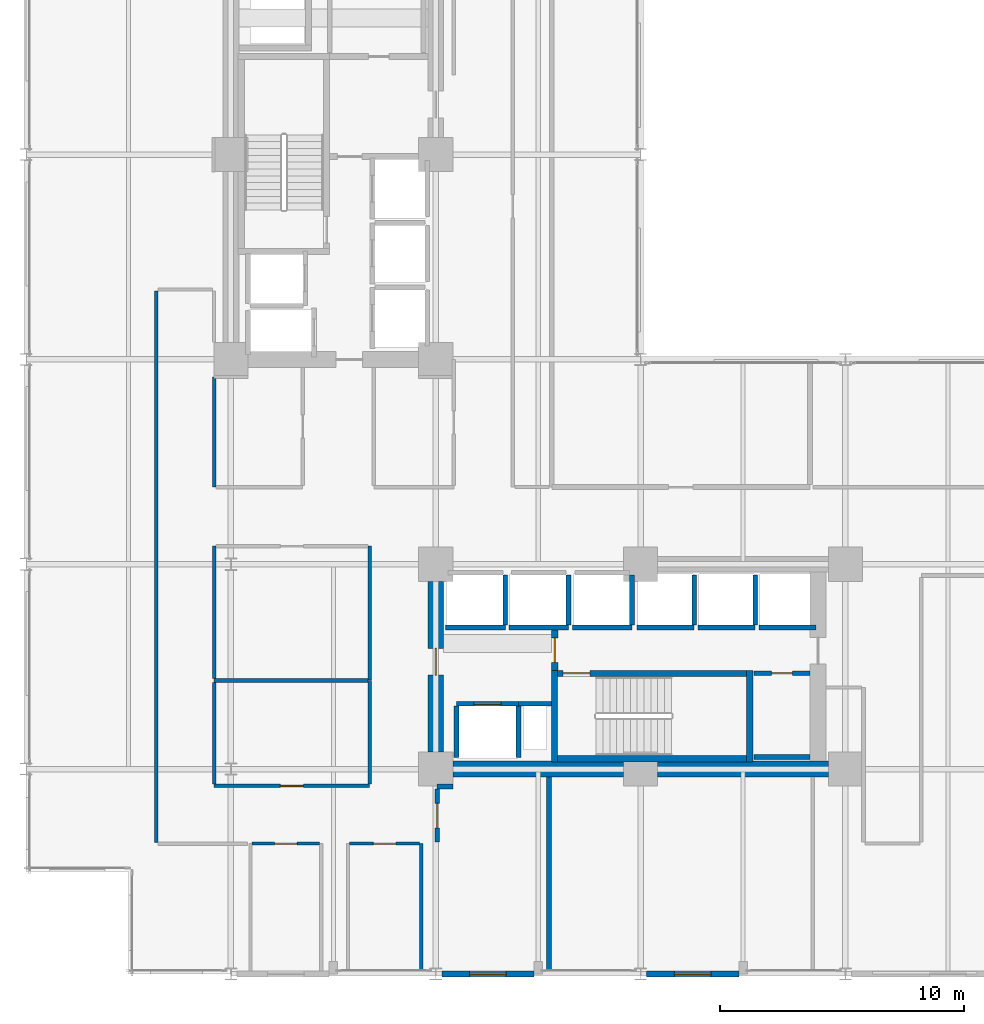
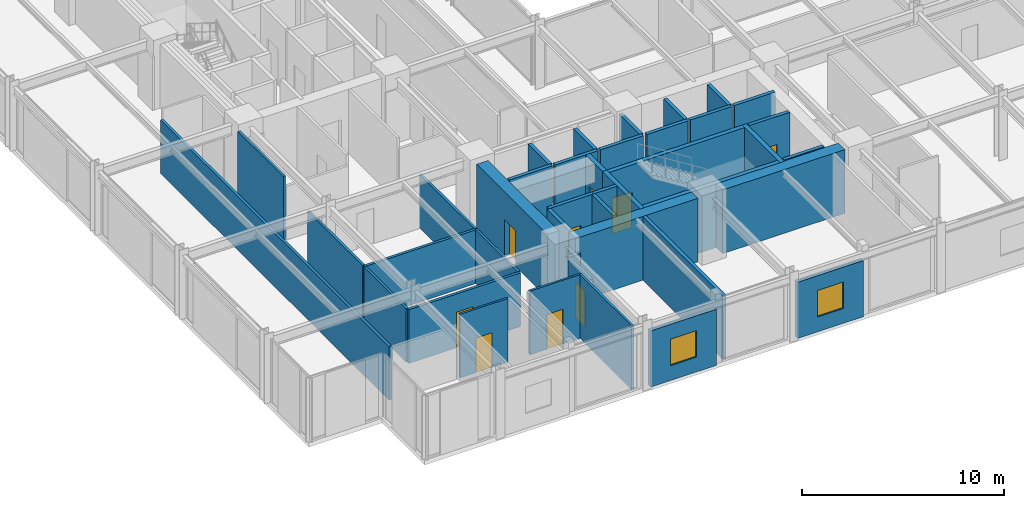
# One storey, part 21 of 26: 41 walls, 9 doors, 2 windows, 11 openings.
"""IFC4 building model written with IfcOpenShell, lengths in metres."""

import ifcopenshell
import ifcopenshell.guid

model = None  # the IFC model being written
_history = None  # IfcOwnerHistory: only IFC2X3 demands one
_inside = {}  # id of a spatial element -> (the spatial element, [elements in it])
_under = {}  # id of a project, library or spatial element -> (it, [spatial elements below it])
_declared = {}  # id of a project -> (the project, [libraries it declares])
_typed = {}  # id of a type object -> (the type object, [elements of that type])
_made_of = {}  # id of a material, layer set ... -> (it, [elements and type objects made of it])


def new_model(schema):
    """Start an empty IFC model of exactly this schema.

    Asked for "IFC4X3", IfcOpenShell would pick the latest addendum, in which some entities
    have other attributes; the version numbers below select the first issue.
    IFC2X3 requires an IfcOwnerHistory on every rooted entity: one is made here for all.
    """
    global model, _history
    if schema == "IFC4X3":
        model = ifcopenshell.file(schema_version=(4, 3, 0, 0))
    else:
        model = ifcopenshell.file(schema=schema)
    _inside.clear()
    _under.clear()
    _declared.clear()
    _typed.clear()
    _made_of.clear()
    _history = None
    if model.schema == "IFC2X3":
        org = make("IfcOrganization", Name="unknown")
        user = make(
            "IfcPersonAndOrganization",
            ThePerson=make("IfcPerson", FamilyName="unknown"),
            TheOrganization=org,
        )
        app = make(
            "IfcApplication",
            ApplicationDeveloper=org,
            Version="unknown",
            ApplicationFullName="unknown",
            ApplicationIdentifier="unknown",
        )
        _history = make(
            "IfcOwnerHistory",
            OwningUser=user,
            OwningApplication=app,
            ChangeAction="ADDED",
            CreationDate=0,
        )
    return model


def make(cls, **values):
    """One entity of the class cls with the attributes given. An attribute that is None is left unset."""
    return model.create_entity(
        cls, **{name: value for name, value in values.items() if value is not None}
    )


def rooted(cls, **values):
    """An entity with a GlobalId (a new one), such as an element, a storey or a relation."""
    return make(cls, GlobalId=ifcopenshell.guid.new(), OwnerHistory=_history, **values)


def si_unit(unit_type, name, prefix=None):
    """IfcSIUnit, for example si_unit("LENGTHUNIT", "METRE", prefix="MILLI")."""
    return make("IfcSIUnit", UnitType=unit_type, Prefix=prefix, Name=name)


def assignment(units):
    """IfcUnitAssignment: the units of a project."""
    return None if units is None else make("IfcUnitAssignment", Units=units)


def point(xyz):
    """IfcCartesianPoint."""
    return None if xyz is None else make("IfcCartesianPoint", Coordinates=xyz)


def direction(xyz):
    """IfcDirection."""
    return None if xyz is None else make("IfcDirection", DirectionRatios=xyz)


def frame(location, z_axis=None, x_axis=None):
    """IfcAxis2Placement3D, a coordinate frame: its origin and axes. An axis left out is left unset."""
    return make(
        "IfcAxis2Placement3D",
        Location=point(location),
        Axis=direction(z_axis),
        RefDirection=direction(x_axis),
    )


def frame_2d(location, x_axis=None):
    """IfcAxis2Placement2D, a coordinate frame in the plane: its origin and x axis."""
    return make(
        "IfcAxis2Placement2D", Location=point(location), RefDirection=direction(x_axis)
    )


def origin():
    """The frame at (0, 0, 0) with its axes left unset."""
    return frame((0.0, 0.0, 0.0))


def place(relative_to, where):
    """IfcLocalPlacement: puts the frame where relative to a parent placement (None: the world)."""
    return make(
        "IfcLocalPlacement", PlacementRelTo=relative_to, RelativePlacement=where
    )


def context(
    kind, dimensions, precision=None, world=None, true_north=None, identifier=None
):
    """IfcGeometricRepresentationContext, for example the 3D "Model" context."""
    return make(
        "IfcGeometricRepresentationContext",
        ContextIdentifier=identifier,
        ContextType=kind,
        CoordinateSpaceDimension=dimensions,
        Precision=precision,
        WorldCoordinateSystem=world,
        TrueNorth=true_north,
    )


def subcontext(parent, identifier, kind, view, scale=None):
    """IfcGeometricRepresentationSubContext, for example "Body" below "Model"."""
    return make(
        "IfcGeometricRepresentationSubContext",
        ContextIdentifier=identifier,
        ContextType=kind,
        ParentContext=parent,
        TargetScale=scale,
        TargetView=view,
    )


def project(units=None, contexts=None):
    """IfcProject with its units and contexts."""
    return rooted(
        "IfcProject",
        Name="project",
        RepresentationContexts=contexts,
        UnitsInContext=assignment(units),
    )


def spatial(cls, under=None, at=None, **own):
    """A site, building, storey or space (cls), placed at a placement, below another one or the project."""
    s = rooted(cls, ObjectPlacement=at, **own)
    if under is not None:
        _under.setdefault(under.id(), (under, []))[1].append(s)
    return s


def profile(cls, at=None, kind="AREA", **sizes):
    """A parametric profile (cls). Its sizes go by their IFC names, for example OverallWidth=200.0."""
    return make(cls, ProfileType=kind, Position=at, **sizes)


def rectangle(**sizes):
    """IfcRectangleProfileDef."""
    return profile("IfcRectangleProfileDef", **sizes)


def extrude(swept, where, along, depth):
    """IfcExtrudedAreaSolid: the profile swept, set in the frame where, extruded along a direction by depth."""
    return make(
        "IfcExtrudedAreaSolid",
        SweptArea=swept,
        Position=where,
        ExtrudedDirection=direction(along),
        Depth=depth,
    )


def shape(context_of_items, identifier, shape_type, items):
    """IfcShapeRepresentation: the items that make up one representation, for example the "Body"."""
    return make(
        "IfcShapeRepresentation",
        ContextOfItems=context_of_items,
        RepresentationIdentifier=identifier,
        RepresentationType=shape_type,
        Items=items,
    )


def material(Name=None, Category=None):
    """IfcMaterial."""
    return make("IfcMaterial", Name=Name, Category=Category)


def layer(
    of_material, thickness, ventilated=None, Name=None, Category=None, Priority=None
):
    """IfcMaterialLayer: one layer of a wall or slab, of a material (None: an air gap)."""
    return make(
        "IfcMaterialLayer",
        Material=of_material,
        LayerThickness=thickness,
        IsVentilated=ventilated,
        Name=Name,
        Category=Category,
        Priority=Priority,
    )


def layer_set(layers, Name=None):
    """IfcMaterialLayerSet."""
    return make("IfcMaterialLayerSet", MaterialLayers=layers, LayerSetName=Name)


def made_of(thing, what):
    """Note that an element or type object is made of a material, layer set ...; save() writes the relation."""
    if what is not None:
        _made_of.setdefault(what.id(), (what, []))[1].append(thing)
    return thing


def type_object(cls, material=None, **own):
    """A type object (cls), such as IfcWallType, which elements share."""
    return made_of(rooted(cls, **own), material)


def element(
    cls,
    number,
    at=None,
    inside=None,
    cuts=None,
    type_object=None,
    material=None,
    context=None,
    identifier="Body",
    shape_type=None,
    held_by="IfcProductDefinitionShape",
    body=None,
    shapes=None,
    **own,
):
    """One element of the class cls, such as IfcWall. Its Tag is "e" and its number.

    at: its placement. inside: the storey or other place that contains it. cuts: it is an
    opening in that element (IfcRelVoidsElement). A single representation is given by context,
    identifier, shape_type and body (its items); several are given by shapes. held_by: the class
    of the entity that holds the representations. save() writes the other relations.
    """
    e = rooted(cls, Tag="e%d" % number, ObjectPlacement=at, **own)
    if body is not None:
        shapes = [shape(context, identifier, shape_type, body)]
    if shapes is not None:
        e.Representation = make(held_by, Representations=shapes)
    if inside is not None:
        _inside.setdefault(inside.id(), (inside, []))[1].append(e)
    if cuts is not None:
        rooted(
            "IfcRelVoidsElement", RelatingBuildingElement=cuts, RelatedOpeningElement=e
        )
    if type_object is not None:
        _typed.setdefault(type_object.id(), (type_object, []))[1].append(e)
    return made_of(e, material)


def fill(opening, filler):
    """IfcRelFillsElement: the door or window that sits in an opening."""
    return rooted(
        "IfcRelFillsElement",
        RelatingOpeningElement=opening,
        RelatedBuildingElement=filler,
    )


def aggregate(whole, parts):
    """IfcRelAggregates: a whole, such as a stair, and the parts it consists of."""
    return rooted("IfcRelAggregates", RelatingObject=whole, RelatedObjects=parts)


def save(model, path):
    """Write the relations noted so far, then the file.

    IfcRelAggregates (storeys below a building ...), IfcRelContainedInSpatialStructure (elements
    in a storey), IfcRelDefinesByType, IfcRelAssociatesMaterial and IfcRelDeclares: one each for
    every whole, place, type object, material and project.
    """
    for whole, parts in _under.values():
        aggregate(whole, parts)
    for where, things in _inside.values():
        rooted(
            "IfcRelContainedInSpatialStructure",
            RelatedElements=things,
            RelatingStructure=where,
        )
    for kind, things in _typed.values():
        rooted("IfcRelDefinesByType", RelatedObjects=things, RelatingType=kind)
    for what, things in _made_of.values():
        rooted("IfcRelAssociatesMaterial", RelatedObjects=things, RelatingMaterial=what)
    for by, libraries in _declared.values():
        rooted("IfcRelDeclares", RelatingContext=by, RelatedDefinitions=libraries)
    model.write(path)


model = new_model("IFC4")

# Units and contexts
model_context = context("Model", 3, precision=1e-05, world=origin(), true_north=direction((0.0, 1.0)))
body_context = subcontext(model_context, "Body", "Model", "MODEL_VIEW")
ifc_project = project(units=[si_unit("LENGTHUNIT", "METRE"), si_unit("AREAUNIT", "SQUARE_METRE"), si_unit("VOLUMEUNIT", "CUBIC_METRE"), si_unit("PLANEANGLEUNIT", "RADIAN"), si_unit("MASSUNIT", "GRAM", prefix="KILO")], contexts=[model_context])

# Site, building, storey
site_placement = place(None, origin())
site = spatial("IfcSite", under=ifc_project, at=site_placement, CompositionType="ELEMENT")
building_placement = place(site_placement, origin())
building = spatial("IfcBuilding", under=site, at=building_placement, Name="Nerrivon Quay Data Exchange", CompositionType="ELEMENT")
storey_placement = place(building_placement, frame((0.0, 0.0, 75.199951171875)))
storey = spatial("IfcBuildingStorey", under=building, at=storey_placement, Name="L17", CompositionType="ELEMENT", Elevation=75.199951171875)

# Wall, opening, window
ifc_material_1 = material(Name="Architectural terracotta precast concrete N50 (50 MPa)", Category="masonry")
ifc_layer_1 = layer(ifc_material_1, 0.239990234375)
ifc_layer_set_1 = layer_set([ifc_layer_1], Name="Architectural terracotta precast concrete N50 (50 MPa)")
wall_type_1 = type_object("IfcWallType", Name="EW-PREC-240", PredefinedType="STANDARD", material=ifc_layer_set_1)
wall_1_placement = place(storey_placement, frame((29.22509765625, 0.0, 0.0), z_axis=(0.0, 0.0, 1.0), x_axis=(-1.0, 0.0, 0.0)))
wall_1 = element("IfcWall", 1, at=wall_1_placement, inside=storey, type_object=wall_type_1, Name="L17 Podium Precast Spandrel Wall 9", PredefinedType="STANDARD", context=body_context, shape_type="SweptSolid", body=[
    extrude(rectangle(XDim=3.775146484375, YDim=0.239990234375, at=frame_2d((1.8876953125, 0.0))), origin(), (0.0, 0.0, 1.0), 3.39599609375),
])
opening_1_placement = place(wall_1_placement, frame((1.137451171875, 0.0, 0.89990234375)))
opening_1 = element("IfcOpeningElement", 2, at=opening_1_placement, cuts=wall_1, Name="Opening WN4", PredefinedType="OPENING", context=body_context, shape_type="SweptSolid", body=[
    extrude(rectangle(XDim=1.5, YDim=1.60009765625, at=frame_2d((0.75, 0.800048828125))), frame((0.0, 0.1298828125, 0.0), z_axis=(0.0, -1.0, 0.0), x_axis=(1.0, 0.0, 0.0)), (0.0, 0.0, 1.0), 0.260009765625),
])
ifc_material_2 = material(Name="Double-glazed low-E solar control glass", Category="glass")
window_type = type_object("IfcWindowType", Name="WIN-W4-1500x1600", PartitioningType="SINGLE_PANEL", PredefinedType="WINDOW", material=ifc_material_2)
window_1_placement = place(opening_1_placement, origin())
window_1 = element("IfcWindow", 3, at=window_1_placement, inside=storey, type_object=window_type, Name="L17 Solar Facade Window 9", OverallHeight=1.60009765625, OverallWidth=1.5, PartitioningType="SINGLE_PANEL", PredefinedType="WINDOW", context=body_context, shape_type="SweptSolid", body=[
    extrude(rectangle(XDim=1.5, YDim=1.60009765625, at=frame_2d((0.75, 0.800048828125))), frame((0.0, 0.030029296875, 0.0), z_axis=(0.0, -1.0, 0.0), x_axis=(1.0, 0.0, 0.0)), (0.0, 0.0, 1.0), 0.06005859375),
])
fill(opening_1, window_1)

wall_2_placement = place(storey_placement, frame((20.824951171875, 0.0, 0.0), z_axis=(0.0, 0.0, 1.0), x_axis=(-1.0, 0.0, 0.0)))
wall_2 = element("IfcWall", 4, at=wall_2_placement, inside=storey, type_object=wall_type_1, Name="L17 Podium Precast Spandrel Wall 11", PredefinedType="STANDARD", context=body_context, shape_type="SweptSolid", body=[
    extrude(rectangle(XDim=3.77490234375, YDim=0.239990234375, at=frame_2d((1.887451171875, 0.0))), origin(), (0.0, 0.0, 1.0), 3.39599609375),
])
opening_2_placement = place(wall_2_placement, frame((1.137451171875, 0.0, 0.89990234375)))
opening_2 = element("IfcOpeningElement", 5, at=opening_2_placement, cuts=wall_2, Name="Opening WN4", PredefinedType="OPENING", context=body_context, shape_type="SweptSolid", body=[
    extrude(rectangle(XDim=1.5, YDim=1.60009765625, at=frame_2d((0.75, 0.800048828125))), frame((0.0, 0.1298828125, 0.0), z_axis=(0.0, -1.0, 0.0), x_axis=(1.0, 0.0, 0.0)), (0.0, 0.0, 1.0), 0.260009765625),
])
window_2_placement = place(opening_2_placement, origin())
window_2 = element("IfcWindow", 6, at=window_2_placement, inside=storey, type_object=window_type, Name="L17 Solar Facade Window 11", OverallHeight=1.60009765625, OverallWidth=1.5, PartitioningType="SINGLE_PANEL", PredefinedType="WINDOW", context=body_context, shape_type="SweptSolid", body=[
    extrude(rectangle(XDim=1.5, YDim=1.60009765625, at=frame_2d((0.75, 0.800048828125))), frame((0.0, 0.030029296875, 0.0), z_axis=(0.0, -1.0, 0.0), x_axis=(1.0, 0.0, 0.0)), (0.0, 0.0, 1.0), 0.06005859375),
])
fill(opening_2, window_2)

# Walls
ifc_material_3 = material(Name="Concrete N80 (80 MPa)", Category="concrete")
ifc_layer_2 = layer(ifc_material_3, 0.64990234375)
ifc_layer_set_2 = layer_set([ifc_layer_2], Name="Concrete N80 (80 MPa)")
wall_type_2 = type_object("IfcWallType", Name="WALL-CW-850", PredefinedType="SHEAR", material=ifc_layer_set_2)
for number, where, z_axis, x_axis, name in (
    (7, (17.5, 8.39990234375, 0.0), (0.0, 0.0, 1.0), (1.0, 0.0, 0.0), "L17 East Split-Core Shear Wall ECW-S1"),
    (8, (25.89990234375, 8.39990234375, 0.0), (0.0, 0.0, 1.0), (1.0, 0.0, 0.0), "L17 East Split-Core Shear Wall ECW-S2"),
):
    element("IfcWall", number, at=place(storey_placement, frame(where, z_axis=z_axis, x_axis=x_axis)), inside=storey, type_object=wall_type_2, Name=name, PredefinedType="SHEAR", context=body_context, shape_type="SweptSolid", body=[
        extrude(rectangle(XDim=7.0, YDim=0.64990234375, at=frame_2d((3.5, 0.0))), origin(), (0.0, 0.0, 1.0), 3.85009765625),
    ])

# Wall, opening, door
wall_3_placement = place(storey_placement, frame((16.800048828125, 9.10009765625, 0.0), z_axis=(0.0, 0.0, 1.0), x_axis=(0.0, 1.0, 0.0)))
wall_3 = element("IfcWall", 9, at=wall_3_placement, inside=storey, type_object=wall_type_2, Name="L17 East Split-Core Shear Wall ECW-W1", PredefinedType="SHEAR", context=body_context, shape_type="SweptSolid", body=[
    extrude(rectangle(XDim=7.0, YDim=0.64990234375, at=frame_2d((3.5, 0.0))), origin(), (0.0, 0.0, 1.0), 3.85009765625),
])
opening_3_placement = place(wall_3_placement, frame((3.14990234375, 0.0, 0.0)))
opening_3 = element("IfcOpeningElement", 10, at=opening_3_placement, cuts=wall_3, Name="Opening FD-120", PredefinedType="OPENING", context=body_context, shape_type="SweptSolid", body=[
    extrude(rectangle(XDim=1.10009765625, YDim=2.14990234375, at=frame_2d((0.550048828125, 1.074951171875))), frame((0.0, 0.3349609375, 0.0), z_axis=(0.0, -1.0, 0.0), x_axis=(1.0, 0.0, 0.0)), (0.0, 0.0, 1.0), 0.669921875),
])
ifc_material_4 = material(Name="Powder-coated galvanized steel sheet", Category="steel")
door_type_1 = type_object("IfcDoorType", Name="DR-FD120-1100", OperationType="NOTDEFINED", PredefinedType="DOOR", material=ifc_material_4)
door_1_placement = place(opening_3_placement, origin())
door_1 = element("IfcDoor", 11, at=door_1_placement, inside=storey, type_object=door_type_1, Name="L17 East Core Lobby Fire Door", OperationType="SINGLE_SWING_LEFT", OverallHeight=2.14990234375, OverallWidth=1.10009765625, PredefinedType="DOOR", context=body_context, shape_type="SweptSolid", body=[
    extrude(rectangle(XDim=1.10009765625, YDim=2.14990234375, at=frame_2d((0.550048828125, 1.074951171875))), frame((0.0, 0.02490234375, 0.0), z_axis=(0.0, -1.0, 0.0), x_axis=(1.0, 0.0, 0.0)), (0.0, 0.0, 1.0), 0.050048828125),
])
fill(opening_3, door_1)

# Wall
ifc_material_5 = material(Name="Gypsum plasterboard on cold-formed framing", Category="gypsum")
ifc_layer_3 = layer(ifc_material_5, 0.199951171875)
ifc_layer_set_3 = layer_set([ifc_layer_3], Name="Gypsum plasterboard on cold-formed framing")
wall_type_3 = type_object("IfcWallType", Name="WALL-FW-200", PredefinedType="PARTITIONING", material=ifc_layer_set_3)
wall_4_placement = place(storey_placement, frame((20.199951171875, 11.080078125, 0.0), z_axis=(0.0, 0.0, 1.0), x_axis=(1.0, 0.0, 0.0)))
element("IfcWall", 12, at=wall_4_placement, inside=storey, type_object=wall_type_3, Name="L17 East Core MEP Riser Shaft Wall N", PredefinedType="PARTITIONING", context=body_context, shape_type="SweptSolid", body=[
    extrude(rectangle(XDim=1.35009765625, YDim=0.199951171875, at=frame_2d((0.675048828125, 0.0))), origin(), (0.0, 0.0, 1.0), 3.85009765625),
])

# Wall, opening, door
wall_5_placement = place(storey_placement, frame((17.64990234375, 11.080078125, 0.0), z_axis=(0.0, 0.0, 1.0), x_axis=(1.0, 0.0, 0.0)))
wall_5 = element("IfcWall", 13, at=wall_5_placement, inside=storey, type_object=wall_type_3, Name="L17 Lift Front Wall FFL-2", PredefinedType="PARTITIONING", context=body_context, shape_type="SweptSolid", body=[
    extrude(rectangle(XDim=2.550048828125, YDim=0.199951171875, at=frame_2d((1.27490234375, 0.0))), origin(), (0.0, 0.0, 1.0), 3.85009765625),
])
opening_4_placement = place(wall_5_placement, frame((0.72509765625, 0.0, 0.0)))
opening_4 = element("IfcOpeningElement", 14, at=opening_4_placement, cuts=wall_5, Name="Opening LD-120", PredefinedType="OPENING", context=body_context, shape_type="SweptSolid", body=[
    extrude(rectangle(XDim=1.10009765625, YDim=2.199951171875, at=frame_2d((0.550048828125, 1.10009765625))), frame((0.0, 0.10986328125, 0.0), z_axis=(0.0, -1.0, 0.0), x_axis=(1.0, 0.0, 0.0)), (0.0, 0.0, 1.0), 0.219970703125),
])
door_type_2 = type_object("IfcDoorType", Name="DR-LIFT-LD120", OperationType="DOUBLE_DOOR_SLIDING", PredefinedType="DOOR", material=ifc_material_4)
door_2_placement = place(opening_4_placement, origin())
door_2 = element("IfcDoor", 15, at=door_2_placement, inside=storey, type_object=door_type_2, Name="L17 Lift Landing Sliding Door FFL-2", OperationType="DOUBLE_DOOR_SLIDING", OverallHeight=2.199951171875, OverallWidth=1.10009765625, PredefinedType="DOOR", context=body_context, shape_type="SweptSolid", body=[
    extrude(rectangle(XDim=1.10009765625, YDim=2.199951171875, at=frame_2d((0.550048828125, 1.10009765625))), frame((0.0, 0.02490234375, 0.0), z_axis=(0.0, -1.0, 0.0), x_axis=(1.0, 0.0, 0.0)), (0.0, 0.0, 1.0), 0.050048828125),
])
fill(opening_4, door_2)

# Walls
for number, where, z_axis, x_axis, name in (
    (16, (20.199951171875, 8.8798828125, 0.0), (0.0, 0.0, 1.0), (0.0, 1.0, 0.0), "L17 Lift Shaft Wall FFL-2 EAST"),
    (17, (17.64990234375, 8.8798828125, 0.0), (0.0, 0.0, 1.0), (0.0, 1.0, 0.0), "L17 Lift Shaft Wall FFL-2 WEST"),
):
    element("IfcWall", number, at=place(storey_placement, frame(where, z_axis=z_axis, x_axis=x_axis)), inside=storey, type_object=wall_type_3, Name=name, PredefinedType="PARTITIONING", context=body_context, shape_type="SweptSolid", body=[
        extrude(rectangle(XDim=2.10009765625, YDim=0.199951171875, at=frame_2d((1.050048828125, 0.0))), origin(), (0.0, 0.0, 1.0), 3.85009765625),
    ])
wall_6_placement = place(storey_placement, frame((17.199951171875, 14.199951171875, 0.0), z_axis=(0.0, 0.0, 1.0), x_axis=(1.0, 0.0, 0.0)))
element("IfcWall", 18, at=wall_6_placement, inside=storey, type_object=wall_type_3, Name="L17 Lift Front Wall PL4", PredefinedType="PARTITIONING", context=body_context, shape_type="SweptSolid", body=[
    extrude(rectangle(XDim=2.449951171875, YDim=0.199951171875, at=frame_2d((1.22509765625, 0.0))), origin(), (0.0, 0.0, 1.0), 3.85009765625),
])
wall_7_placement = place(storey_placement, frame((19.64990234375, 14.300048828125, 0.0), z_axis=(0.0, 0.0, 1.0), x_axis=(0.0, 1.0, 0.0)))
element("IfcWall", 19, at=wall_7_placement, inside=storey, type_object=wall_type_3, Name="L17 Lift Shaft Wall PL4 EAST", PredefinedType="PARTITIONING", context=body_context, shape_type="SweptSolid", body=[
    extrude(rectangle(XDim=2.050048828125, YDim=0.199951171875, at=frame_2d((1.02490234375, 0.0))), origin(), (0.0, 0.0, 1.0), 3.85009765625),
])
wall_8_placement = place(storey_placement, frame((19.800048828125, 14.199951171875, 0.0), z_axis=(0.0, 0.0, 1.0), x_axis=(1.0, 0.0, 0.0)))
element("IfcWall", 20, at=wall_8_placement, inside=storey, type_object=wall_type_3, Name="L17 Lift Front Wall PL5", PredefinedType="PARTITIONING", context=body_context, shape_type="SweptSolid", body=[
    extrude(rectangle(XDim=2.449951171875, YDim=0.199951171875, at=frame_2d((1.22509765625, 0.0))), origin(), (0.0, 0.0, 1.0), 3.85009765625),
])
wall_9_placement = place(storey_placement, frame((22.25, 14.300048828125, 0.0), z_axis=(0.0, 0.0, 1.0), x_axis=(0.0, 1.0, 0.0)))
element("IfcWall", 21, at=wall_9_placement, inside=storey, type_object=wall_type_3, Name="L17 Lift Shaft Wall PL5 EAST", PredefinedType="PARTITIONING", context=body_context, shape_type="SweptSolid", body=[
    extrude(rectangle(XDim=2.050048828125, YDim=0.199951171875, at=frame_2d((1.02490234375, 0.0))), origin(), (0.0, 0.0, 1.0), 3.85009765625),
])
wall_10_placement = place(storey_placement, frame((22.39990234375, 14.199951171875, 0.0), z_axis=(0.0, 0.0, 1.0), x_axis=(1.0, 0.0, 0.0)))
element("IfcWall", 22, at=wall_10_placement, inside=storey, type_object=wall_type_3, Name="L17 Lift Front Wall PL6", PredefinedType="PARTITIONING", context=body_context, shape_type="SweptSolid", body=[
    extrude(rectangle(XDim=2.4501953125, YDim=0.199951171875, at=frame_2d((1.22509765625, 0.0))), origin(), (0.0, 0.0, 1.0), 3.85009765625),
])
wall_11_placement = place(storey_placement, frame((24.85009765625, 14.300048828125, 0.0), z_axis=(0.0, 0.0, 1.0), x_axis=(0.0, 1.0, 0.0)))
element("IfcWall", 23, at=wall_11_placement, inside=storey, type_object=wall_type_3, Name="L17 Lift Shaft Wall PL6 EAST", PredefinedType="PARTITIONING", context=body_context, shape_type="SweptSolid", body=[
    extrude(rectangle(XDim=2.050048828125, YDim=0.199951171875, at=frame_2d((1.02490234375, 0.0))), origin(), (0.0, 0.0, 1.0), 3.85009765625),
])
wall_12_placement = place(storey_placement, frame((25.050048828125, 14.199951171875, 0.0), z_axis=(0.0, 0.0, 1.0), x_axis=(1.0, 0.0, 0.0)))
element("IfcWall", 24, at=wall_12_placement, inside=storey, type_object=wall_type_3, Name="L17 Lift Front Wall PL7", PredefinedType="PARTITIONING", context=body_context, shape_type="SweptSolid", body=[
    extrude(rectangle(XDim=2.349853515625, YDim=0.199951171875, at=frame_2d((1.1748046875, 0.0))), origin(), (0.0, 0.0, 1.0), 3.85009765625),
])
wall_13_placement = place(storey_placement, frame((27.39990234375, 14.300048828125, 0.0), z_axis=(0.0, 0.0, 1.0), x_axis=(0.0, 1.0, 0.0)))
element("IfcWall", 25, at=wall_13_placement, inside=storey, type_object=wall_type_3, Name="L17 Lift Shaft Wall PL7 EAST", PredefinedType="PARTITIONING", context=body_context, shape_type="SweptSolid", body=[
    extrude(rectangle(XDim=2.050048828125, YDim=0.199951171875, at=frame_2d((1.02490234375, 0.0))), origin(), (0.0, 0.0, 1.0), 3.85009765625),
])
wall_14_placement = place(storey_placement, frame((27.550048828125, 14.199951171875, 0.0), z_axis=(0.0, 0.0, 1.0), x_axis=(1.0, 0.0, 0.0)))
element("IfcWall", 26, at=wall_14_placement, inside=storey, type_object=wall_type_3, Name="L17 Lift Front Wall PL8", PredefinedType="PARTITIONING", context=body_context, shape_type="SweptSolid", body=[
    extrude(rectangle(XDim=2.349853515625, YDim=0.199951171875, at=frame_2d((1.1748046875, 0.0))), origin(), (0.0, 0.0, 1.0), 3.85009765625),
])
wall_15_placement = place(storey_placement, frame((29.89990234375, 14.300048828125, 0.0), z_axis=(0.0, 0.0, 1.0), x_axis=(0.0, 1.0, 0.0)))
element("IfcWall", 27, at=wall_15_placement, inside=storey, type_object=wall_type_3, Name="L17 Lift Shaft Wall PL8 EAST", PredefinedType="PARTITIONING", context=body_context, shape_type="SweptSolid", body=[
    extrude(rectangle(XDim=2.050048828125, YDim=0.199951171875, at=frame_2d((1.02490234375, 0.0))), origin(), (0.0, 0.0, 1.0), 3.85009765625),
])
wall_16_placement = place(storey_placement, frame((30.050048828125, 14.199951171875, 0.0), z_axis=(0.0, 0.0, 1.0), x_axis=(1.0, 0.0, 0.0)))
element("IfcWall", 28, at=wall_16_placement, inside=storey, type_object=wall_type_3, Name="L17 Lift Front Wall PL9", PredefinedType="PARTITIONING", context=body_context, shape_type="SweptSolid", body=[
    extrude(rectangle(XDim=2.349853515625, YDim=0.199951171875, at=frame_2d((1.1748046875, 0.0))), origin(), (0.0, 0.0, 1.0), 3.85009765625),
])

# Wall, opening, door
wall_17_placement = place(storey_placement, frame((32.14599609375, 12.330078125, 0.0), z_axis=(0.0, 0.0, 1.0), x_axis=(-1.0, 0.0, 0.0)))
wall_17 = element("IfcWall", 29, at=wall_17_placement, inside=storey, type_object=wall_type_3, Name="L17 Partition East Telecom Closet", PredefinedType="PARTITIONING", context=body_context, shape_type="SweptSolid", body=[
    extrude(rectangle(XDim=2.2958984375, YDim=0.199951171875, at=frame_2d((1.14794921875, 0.0))), origin(), (0.0, 0.0, 1.0), 3.85009765625),
])
opening_5_placement = place(wall_17_placement, frame((0.722900390625, 0.0, 0.0)))
opening_5 = element("IfcOpeningElement", 30, at=opening_5_placement, cuts=wall_17, Name="Opening FD-60S", PredefinedType="OPENING", context=body_context, shape_type="SweptSolid", body=[
    extrude(rectangle(XDim=0.85009765625, YDim=2.14990234375, at=frame_2d((0.425048828125, 1.074951171875))), frame((0.0, 0.10986328125, 0.0), z_axis=(0.0, -1.0, 0.0), x_axis=(1.0, 0.0, 0.0)), (0.0, 0.0, 1.0), 0.219970703125),
])
ifc_material_6 = material(Name="Engineered hardwood timber", Category="wood")
door_type_3 = type_object("IfcDoorType", Name="DR-FD60-850", OperationType="NOTDEFINED", PredefinedType="DOOR", material=ifc_material_6)
door_3_placement = place(opening_5_placement, origin())
door_3 = element("IfcDoor", 31, at=door_3_placement, inside=storey, type_object=door_type_3, Name="L17 Door East Telecom Closet", OperationType="SINGLE_SWING_LEFT", OverallHeight=2.14990234375, OverallWidth=0.85009765625, PredefinedType="DOOR", context=body_context, shape_type="SweptSolid", body=[
    extrude(rectangle(XDim=0.85009765625, YDim=2.14990234375, at=frame_2d((0.425048828125, 1.074951171875))), frame((0.0, 0.02490234375, 0.0), z_axis=(0.0, -1.0, 0.0), x_axis=(1.0, 0.0, 0.0)), (0.0, 0.0, 1.0), 0.050048828125),
])
fill(opening_5, door_3)

# Walls
wall_18_placement = place(storey_placement, frame((29.85009765625, 8.89990234375, 0.0), z_axis=(0.0, 0.0, 1.0), x_axis=(1.0, 0.0, 0.0)))
element("IfcWall", 32, at=wall_18_placement, inside=storey, type_object=wall_type_3, Name="L17 Partition East Telecom Closet", PredefinedType="PARTITIONING", context=body_context, shape_type="SweptSolid", body=[
    extrude(rectangle(XDim=2.2958984375, YDim=0.199951171875, at=frame_2d((1.14794921875, 0.0))), origin(), (0.0, 0.0, 1.0), 3.85009765625),
])
wall_19_placement = place(storey_placement, frame((21.436767578125, 0.1689453125, 0.0), z_axis=(0.0, 0.0, 1.0), x_axis=(0.0, 1.0, 0.0)))
element("IfcWall", 33, at=wall_19_placement, inside=storey, type_object=wall_type_3, Name="L17 Partition Colocation Data Workspace 1", PredefinedType="PARTITIONING", context=body_context, shape_type="SweptSolid", body=[
    extrude(rectangle(XDim=7.902099609375, YDim=0.199951171875, at=frame_2d((3.951171875, 0.0))), origin(), (0.0, 0.0, 1.0), 3.85009765625),
])
wall_20_placement = place(storey_placement, frame((17.5, 7.679931640625, 0.0), z_axis=(0.0, 0.0, 1.0), x_axis=(-1.0, 0.0, 0.0)))
element("IfcWall", 34, at=wall_20_placement, inside=storey, type_object=wall_type_3, Name="L17 Partition Colocation Data Workspace 1", PredefinedType="PARTITIONING", context=body_context, shape_type="SweptSolid", body=[
    extrude(rectangle(XDim=0.639892578125, YDim=0.199951171875, at=frame_2d((0.31982421875, 0.0))), origin(), (0.0, 0.0, 1.0), 3.248046875),
])

# Wall, opening, door
wall_21_placement = place(storey_placement, frame((16.860107421875, 7.575927734375, 0.0), z_axis=(0.0, 0.0, 1.0), x_axis=(0.0, -1.0, 0.0)))
wall_21 = element("IfcWall", 35, at=wall_21_placement, inside=storey, type_object=wall_type_3, Name="L17 Partition Colocation Data Workspace 1", PredefinedType="PARTITIONING", context=body_context, shape_type="SweptSolid", body=[
    extrude(rectangle(XDim=2.176025390625, YDim=0.199951171875, at=frame_2d((1.087890625, 0.0))), origin(), (0.0, 0.0, 1.0), 3.248046875),
])
opening_6_placement = place(wall_21_placement, frame((0.587890625, 0.0, 0.0)))
opening_6 = element("IfcOpeningElement", 36, at=opening_6_placement, cuts=wall_21, Name="Opening FD-60", PredefinedType="OPENING", context=body_context, shape_type="SweptSolid", body=[
    extrude(rectangle(XDim=1.0, YDim=2.14990234375, at=frame_2d((0.5, 1.074951171875))), frame((0.0, 0.10986328125, 0.0), z_axis=(0.0, -1.0, 0.0), x_axis=(1.0, 0.0, 0.0)), (0.0, 0.0, 1.0), 0.219970703125),
])
door_type_4 = type_object("IfcDoorType", Name="DR-FD60-1000", OperationType="NOTDEFINED", PredefinedType="DOOR", material=ifc_material_6)
door_4_placement = place(opening_6_placement, origin())
door_4 = element("IfcDoor", 37, at=door_4_placement, inside=storey, type_object=door_type_4, Name="L17 Door Colocation Data Workspace 1", OperationType="SINGLE_SWING_LEFT", OverallHeight=2.14990234375, OverallWidth=1.0, PredefinedType="DOOR", context=body_context, shape_type="SweptSolid", body=[
    extrude(rectangle(XDim=1.0, YDim=2.14990234375, at=frame_2d((0.5, 1.074951171875))), frame((0.0, 0.02490234375, 0.0), z_axis=(0.0, -1.0, 0.0), x_axis=(1.0, 0.0, 0.0)), (0.0, 0.0, 1.0), 0.050048828125),
])
fill(opening_6, door_4)

ifc_layer_4 = layer(ifc_material_5, 0.1201171875)
ifc_layer_set_4 = layer_set([ifc_layer_4], Name="Gypsum plasterboard on cold-formed framing")
wall_type_4 = type_object("IfcWallType", Name="WALL-PT-120", PredefinedType="PARTITIONING", material=ifc_layer_set_4)
wall_22_placement = place(storey_placement, frame((12.028564453125, 5.340087890625, 0.0), z_axis=(0.0, 0.0, 1.0), x_axis=(-1.0, 0.0, 0.0)))
wall_22 = element("IfcWall", 38, at=wall_22_placement, inside=storey, type_object=wall_type_4, Name="L17 Partition Accessible Toilet", PredefinedType="PARTITIONING", context=body_context, shape_type="SweptSolid", body=[
    extrude(rectangle(XDim=2.757080078125, YDim=0.1201171875, at=frame_2d((1.37841796875, 0.0))), origin(), (0.0, 0.0, 1.0), 3.85009765625),
])
opening_7_placement = place(wall_22_placement, frame((0.91845703125, 0.0, 0.0)))
opening_7 = element("IfcOpeningElement", 39, at=opening_7_placement, cuts=wall_22, Name="Opening D-WC", PredefinedType="OPENING", context=body_context, shape_type="SweptSolid", body=[
    extrude(rectangle(XDim=0.919921875, YDim=2.10009765625, at=frame_2d((0.4599609375, 1.050048828125))), frame((0.0, 0.070068359375, 0.0), z_axis=(0.0, -1.0, 0.0), x_axis=(1.0, 0.0, 0.0)), (0.0, 0.0, 1.0), 0.14013671875),
])
door_type_5 = type_object("IfcDoorType", Name="DR-WC-920", OperationType="NOTDEFINED", PredefinedType="DOOR", material=ifc_material_6)
door_5_placement = place(opening_7_placement, origin())
door_5 = element("IfcDoor", 40, at=door_5_placement, inside=storey, type_object=door_type_5, Name="L17 Door Accessible Toilet", OperationType="SINGLE_SWING_RIGHT", OverallHeight=2.10009765625, OverallWidth=0.919921875, PredefinedType="DOOR", context=body_context, shape_type="SweptSolid", body=[
    extrude(rectangle(XDim=0.919921875, YDim=2.10009765625, at=frame_2d((0.4599609375, 1.050048828125))), frame((0.0, 0.02490234375, 0.0), z_axis=(0.0, -1.0, 0.0), x_axis=(1.0, 0.0, 0.0)), (0.0, 0.0, 1.0), 0.050048828125),
])
fill(opening_7, door_5)

wall_23_placement = place(storey_placement, frame((16.12841796875, 5.340087890625, 0.0), z_axis=(0.0, 0.0, 1.0), x_axis=(-1.0, 0.0, 0.0)))
wall_23 = element("IfcWall", 41, at=wall_23_placement, inside=storey, type_object=wall_type_4, Name="L17 Partition Public Washrooms", PredefinedType="PARTITIONING", context=body_context, shape_type="SweptSolid", body=[
    extrude(rectangle(XDim=2.85693359375, YDim=0.1201171875, at=frame_2d((1.428466796875, 0.0))), origin(), (0.0, 0.0, 1.0), 3.85009765625),
])
opening_8_placement = place(wall_23_placement, frame((0.968505859375, 0.0, 0.0)))
opening_8 = element("IfcOpeningElement", 42, at=opening_8_placement, cuts=wall_23, Name="Opening D-WC", PredefinedType="OPENING", context=body_context, shape_type="SweptSolid", body=[
    extrude(rectangle(XDim=0.919921875, YDim=2.10009765625, at=frame_2d((0.4599609375, 1.050048828125))), frame((0.0, 0.070068359375, 0.0), z_axis=(0.0, -1.0, 0.0), x_axis=(1.0, 0.0, 0.0)), (0.0, 0.0, 1.0), 0.14013671875),
])
door_6_placement = place(opening_8_placement, origin())
door_6 = element("IfcDoor", 43, at=door_6_placement, inside=storey, type_object=door_type_5, Name="L17 Door Public Washrooms", OperationType="SINGLE_SWING_LEFT", OverallHeight=2.10009765625, OverallWidth=0.919921875, PredefinedType="DOOR", context=body_context, shape_type="SweptSolid", body=[
    extrude(rectangle(XDim=0.919921875, YDim=2.10009765625, at=frame_2d((0.4599609375, 1.050048828125))), frame((0.0, 0.02490234375, 0.0), z_axis=(0.0, -1.0, 0.0), x_axis=(1.0, 0.0, 0.0)), (0.0, 0.0, 1.0), 0.050048828125),
])
fill(opening_8, door_6)

# Walls
ifc_layer_5 = layer(ifc_material_5, 0.135009765625)
ifc_layer_set_5 = layer_set([ifc_layer_5], Name="Gypsum plasterboard on cold-formed framing")
wall_type_5 = type_object("IfcWallType", Name="WALL-PT-135", PredefinedType="PARTITIONING", material=ifc_layer_set_5)
wall_24_placement = place(storey_placement, frame((16.199951171875, 0.1689453125, 0.0), z_axis=(0.0, 0.0, 1.0), x_axis=(0.0, 1.0, 0.0)))
element("IfcWall", 44, at=wall_24_placement, inside=storey, type_object=wall_type_5, Name="L17 Partition Public Washrooms", PredefinedType="PARTITIONING", context=body_context, shape_type="SweptSolid", body=[
    extrude(rectangle(XDim=5.171142578125, YDim=0.135009765625, at=frame_2d((2.58544921875, 0.0))), origin(), (0.0, 0.0, 1.0), 3.85009765625),
])
wall_25_placement = place(storey_placement, frame((14.090087890625, 7.7890625, 0.0), z_axis=(0.0, 0.0, 1.0), x_axis=(0.0, 1.0, 0.0)))
element("IfcWall", 45, at=wall_25_placement, inside=storey, type_object=wall_type_5, Name="L17 Partition Technical Library", PredefinedType="PARTITIONING", context=body_context, shape_type="SweptSolid", body=[
    extrude(rectangle(XDim=4.24609375, YDim=0.135009765625, at=frame_2d((2.123046875, 0.0))), origin(), (0.0, 0.0, 1.0), 3.238037109375),
])
wall_26_placement = place(storey_placement, frame((7.7099609375, 11.956298828125, 0.0), z_axis=(0.0, 0.0, 1.0), x_axis=(0.0, -1.0, 0.0)))
element("IfcWall", 46, at=wall_26_placement, inside=storey, type_object=wall_type_5, Name="L17 Partition Technical Library", PredefinedType="PARTITIONING", context=body_context, shape_type="SweptSolid", body=[
    extrude(rectangle(XDim=4.167236328125, YDim=0.135009765625, at=frame_2d((2.08349609375, 0.0))), origin(), (0.0, 0.0, 1.0), 3.238037109375),
])
wall_27_placement = place(storey_placement, frame((7.7099609375, 17.5400390625, 0.0), z_axis=(0.0, 0.0, 1.0), x_axis=(0.0, -1.0, 0.0)))
element("IfcWall", 47, at=wall_27_placement, inside=storey, type_object=wall_type_5, Name="L17 Partition Cloud Compute Workspace 1", PredefinedType="PARTITIONING", context=body_context, shape_type="SweptSolid", body=[
    extrude(rectangle(XDim=5.42578125, YDim=0.135009765625, at=frame_2d((2.712890625, 0.0))), origin(), (0.0, 0.0, 1.0), 3.238037109375),
])
wall_28_placement = place(storey_placement, frame((14.090087890625, 12.05517578125, 0.0), z_axis=(0.0, 0.0, 1.0), x_axis=(0.0, 1.0, 0.0)))
element("IfcWall", 48, at=wall_28_placement, inside=storey, type_object=wall_type_5, Name="L17 Partition Cloud Compute Workspace 1", PredefinedType="PARTITIONING", context=body_context, shape_type="SweptSolid", body=[
    extrude(rectangle(XDim=5.48486328125, YDim=0.135009765625, at=frame_2d((2.742431640625, 0.0))), origin(), (0.0, 0.0, 1.0), 3.238037109375),
])
wall_29_placement = place(storey_placement, frame((7.7099609375, 24.47998046875, 0.0), z_axis=(0.0, 0.0, 1.0), x_axis=(0.0, -1.0, 0.0)))
element("IfcWall", 49, at=wall_29_placement, inside=storey, type_object=wall_type_5, Name="L17 Partition Optical Engineering Studios Workspace", PredefinedType="PARTITIONING", context=body_context, shape_type="SweptSolid", body=[
    extrude(rectangle(XDim=4.52001953125, YDim=0.135009765625, at=frame_2d((2.260009765625, 0.0))), origin(), (0.0, 0.0, 1.0), 3.85009765625),
])

# Wall, opening, door
ifc_layer_6 = layer(ifc_material_5, 0.14990234375)
ifc_layer_set_6 = layer_set([ifc_layer_6], Name="Gypsum plasterboard on cold-formed framing")
wall_type_6 = type_object("IfcWallType", Name="WALL-PT-150", PredefinedType="PARTITIONING", material=ifc_layer_set_6)
wall_30_placement = place(storey_placement, frame((7.7099609375, 7.7099609375, 0.0), z_axis=(0.0, 0.0, 1.0), x_axis=(1.0, 0.0, 0.0)))
wall_30 = element("IfcWall", 50, at=wall_30_placement, inside=storey, type_object=wall_type_6, Name="L17 Partition Technical Library", PredefinedType="PARTITIONING", context=body_context, shape_type="SweptSolid", body=[
    extrude(rectangle(XDim=6.380126953125, YDim=0.14990234375, at=frame_2d((3.18994140625, 0.0))), origin(), (0.0, 0.0, 1.0), 3.248046875),
])
opening_9_placement = place(wall_30_placement, frame((2.715087890625, 0.0, 0.0)))
opening_9 = element("IfcOpeningElement", 51, at=opening_9_placement, cuts=wall_30, Name="Opening D-01", PredefinedType="OPENING", context=body_context, shape_type="SweptSolid", body=[
    extrude(rectangle(XDim=0.949951171875, YDim=2.14990234375, at=frame_2d((0.47509765625, 1.074951171875))), frame((0.0, 0.0849609375, 0.0), z_axis=(0.0, -1.0, 0.0), x_axis=(1.0, 0.0, 0.0)), (0.0, 0.0, 1.0), 0.169921875),
])
door_type_6 = type_object("IfcDoorType", Name="DR-INT-950", OperationType="NOTDEFINED", PredefinedType="DOOR", material=ifc_material_6)
door_7_placement = place(opening_9_placement, origin())
door_7 = element("IfcDoor", 52, at=door_7_placement, inside=storey, type_object=door_type_6, Name="L17 Door Technical Library", OperationType="SINGLE_SWING_LEFT", OverallHeight=2.14990234375, OverallWidth=0.949951171875, PredefinedType="DOOR", context=body_context, shape_type="SweptSolid", body=[
    extrude(rectangle(XDim=0.949951171875, YDim=2.14990234375, at=frame_2d((0.47509765625, 1.074951171875))), frame((0.0, 0.02490234375, 0.0), z_axis=(0.0, -1.0, 0.0), x_axis=(1.0, 0.0, 0.0)), (0.0, 0.0, 1.0), 0.050048828125),
])
fill(opening_9, door_7)

# Walls
wall_31_placement = place(storey_placement, frame((14.0185546875, 12.03515625, 0.0), z_axis=(0.0, 0.0, 1.0), x_axis=(-1.0, 0.0, 0.0)))
element("IfcWall", 53, at=wall_31_placement, inside=storey, type_object=wall_type_6, Name="L17 Partition Technical Library", PredefinedType="PARTITIONING", context=body_context, shape_type="SweptSolid", body=[
    extrude(rectangle(XDim=6.30859375, YDim=0.14990234375, at=frame_2d((3.154296875, 0.0))), origin(), (0.0, 0.0, 1.0), 3.248046875),
])
wall_32_placement = place(storey_placement, frame((5.34033203125, 5.39404296875, 0.0), z_axis=(0.0, 0.0, 1.0), x_axis=(-1.0799836e-05, 0.999999999942, 0.0)))
element("IfcWall", 54, at=wall_32_placement, inside=storey, type_object=wall_type_6, Name="L17 Partition Optical Engineering Studios Workspace", PredefinedType="PARTITIONING", context=body_context, shape_type="SweptSolid", body=[
    extrude(rectangle(XDim=22.60595703125, YDim=0.14990234375, at=frame_2d((11.302978515625, 0.0))), origin(), (0.0, 0.0, 1.0), 3.238037109375),
])
ifc_material_7 = material(Name="Concrete N50 (50 MPa)", Category="concrete")
ifc_layer_7 = layer(ifc_material_7, 0.25)
ifc_layer_set_7 = layer_set([ifc_layer_7], Name="Concrete N50 (50 MPa)")
wall_type_7 = type_object("IfcWallType", Name="WALL-SW-250", PredefinedType="SHEAR", material=ifc_layer_set_7)
for number, where, z_axis, x_axis, name in (
    (55, (21.675048828125, 8.699951171875, 0.0), (0.0, 0.0, 1.0), (0.0, 1.0, 0.0), "L17 ST02 Structural Stair Core Wall NEAR"),
    (56, (29.675048828125, 8.699951171875, 0.0), (0.0, 0.0, 1.0), (0.0, 1.0, 0.0), "L17 ST02 Structural Stair Core Wall FAR"),
):
    element("IfcWall", number, at=place(storey_placement, frame(where, z_axis=z_axis, x_axis=x_axis)), inside=storey, type_object=wall_type_7, Name=name, PredefinedType="SHEAR", context=body_context, shape_type="SweptSolid", body=[
        extrude(rectangle(XDim=3.75, YDim=0.25, at=frame_2d((1.875, 0.0))), origin(), (0.0, 0.0, 1.0), 3.85009765625),
    ])
wall_33_placement = place(storey_placement, frame((21.800048828125, 8.824951171875, 0.0), z_axis=(0.0, 0.0, 1.0), x_axis=(1.0, 0.0, 0.0)))
element("IfcWall", 57, at=wall_33_placement, inside=storey, type_object=wall_type_7, Name="L17 ST02 Structural Stair Core Wall LEFT", PredefinedType="SHEAR", context=body_context, shape_type="SweptSolid", body=[
    extrude(rectangle(XDim=7.75, YDim=0.25, at=frame_2d((3.875, 0.0))), origin(), (0.0, 0.0, 1.0), 3.85009765625),
])

# Wall, opening, door
wall_34_placement = place(storey_placement, frame((21.800048828125, 12.324951171875, 0.0), z_axis=(0.0, 0.0, 1.0), x_axis=(1.0, 0.0, 0.0)))
wall_34 = element("IfcWall", 58, at=wall_34_placement, inside=storey, type_object=wall_type_7, Name="L17 ST02 Structural Stair Core Wall RIGHT", PredefinedType="SHEAR", context=body_context, shape_type="SweptSolid", body=[
    extrude(rectangle(XDim=7.75, YDim=0.25, at=frame_2d((3.875, 0.0))), origin(), (0.0, 0.0, 1.0), 3.85009765625),
])
opening_10_placement = place(wall_34_placement, frame((0.219970703125, 0.0, 0.0)))
opening_10 = element("IfcOpeningElement", 59, at=opening_10_placement, cuts=wall_34, Name="Opening FD-120", PredefinedType="OPENING", context=body_context, shape_type="SweptSolid", body=[
    extrude(rectangle(XDim=1.10009765625, YDim=2.14990234375, at=frame_2d((0.550048828125, 1.074951171875))), frame((0.0, 0.135009765625, 0.0), z_axis=(0.0, -1.0, 0.0), x_axis=(1.0, 0.0, 0.0)), (0.0, 0.0, 1.0), 0.27001953125),
])
door_8_placement = place(opening_10_placement, origin())
door_8 = element("IfcDoor", 60, at=door_8_placement, inside=storey, type_object=door_type_1, Name="L17 Protected Stair Door ST02", OperationType="SINGLE_SWING_LEFT", OverallHeight=2.14990234375, OverallWidth=1.10009765625, PredefinedType="DOOR", context=body_context, shape_type="SweptSolid", body=[
    extrude(rectangle(XDim=1.10009765625, YDim=2.14990234375, at=frame_2d((0.550048828125, 1.074951171875))), frame((0.0, 0.02490234375, 0.0), z_axis=(0.0, -1.0, 0.0), x_axis=(1.0, 0.0, 0.0)), (0.0, 0.0, 1.0), 0.050048828125),
])
fill(opening_10, door_8)

wall_35_placement = place(storey_placement, frame((21.679931640625, 12.449951171875, 0.0), z_axis=(0.0, 0.0, 1.0), x_axis=(0.0, 1.0, 0.0)))
wall_35 = element("IfcWall", 61, at=wall_35_placement, inside=storey, type_object=wall_type_7, Name="L17 East Firefighting Lobby Wall", PredefinedType="SHEAR", context=body_context, shape_type="SweptSolid", body=[
    extrude(rectangle(XDim=1.650146484375, YDim=0.25, at=frame_2d((0.8251953125, 0.0))), origin(), (0.0, 0.0, 1.0), 3.85009765625),
])
opening_11_placement = place(wall_35_placement, frame((0.324951171875, 0.0, 0.0)))
opening_11 = element("IfcOpeningElement", 62, at=opening_11_placement, cuts=wall_35, Name="Opening FD-60", PredefinedType="OPENING", context=body_context, shape_type="SweptSolid", body=[
    extrude(rectangle(XDim=1.0, YDim=2.14990234375, at=frame_2d((0.5, 1.074951171875))), frame((0.0, 0.135009765625, 0.0), z_axis=(0.0, -1.0, 0.0), x_axis=(1.0, 0.0, 0.0)), (0.0, 0.0, 1.0), 0.27001953125),
])
door_9_placement = place(opening_11_placement, origin())
door_9 = element("IfcDoor", 63, at=door_9_placement, inside=storey, type_object=door_type_4, Name="L17 East Firefighting Lobby Fire Door", OperationType="SINGLE_SWING_LEFT", OverallHeight=2.14990234375, OverallWidth=1.0, PredefinedType="DOOR", context=body_context, shape_type="SweptSolid", body=[
    extrude(rectangle(XDim=1.0, YDim=2.14990234375, at=frame_2d((0.5, 1.074951171875))), frame((0.0, 0.02490234375, 0.0), z_axis=(0.0, -1.0, 0.0), x_axis=(1.0, 0.0, 0.0)), (0.0, 0.0, 1.0), 0.050048828125),
])
fill(opening_11, door_9)

save(model, "model.ifc")
